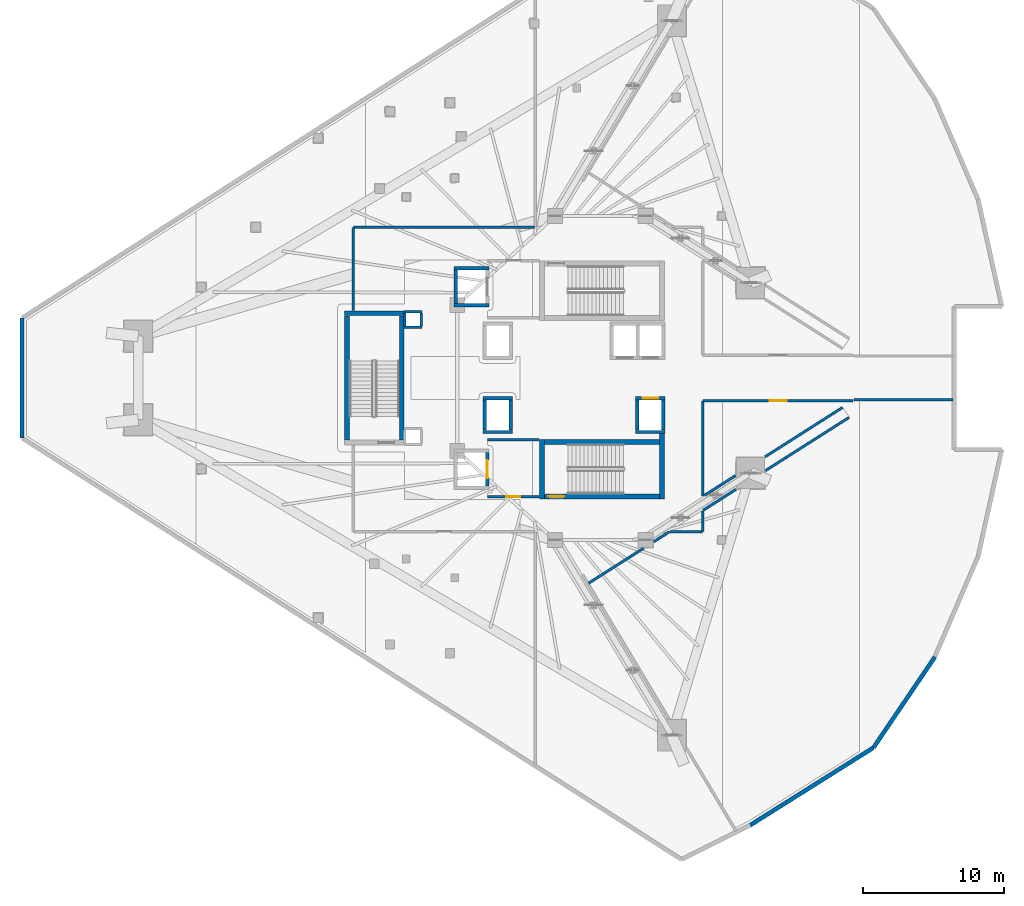
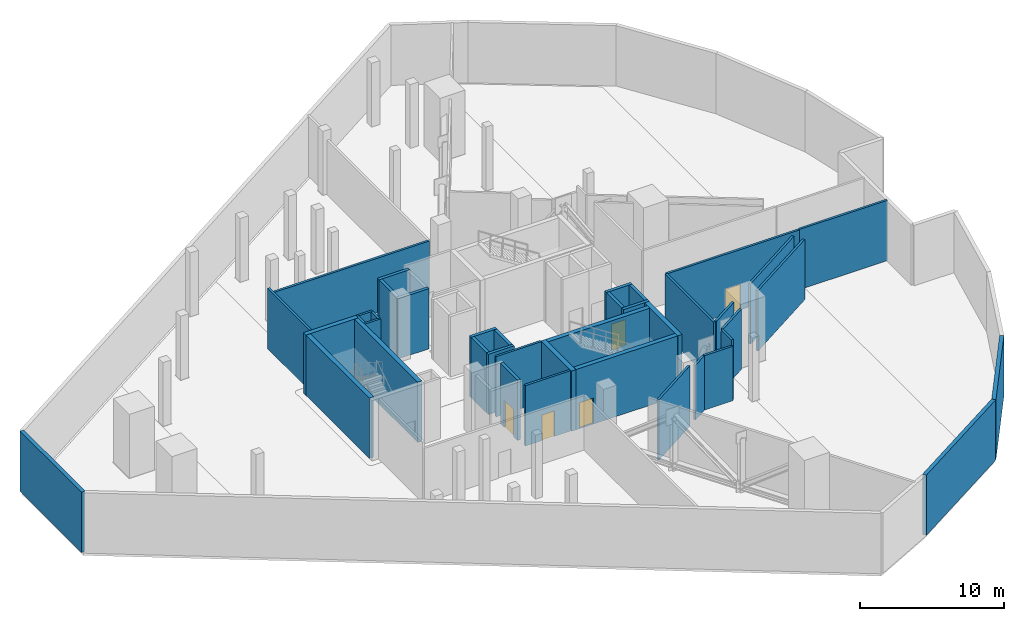
# One storey, part 5 of 12: 41 walls, 5 doors, 5 openings.
"""IFC4 building model written with IfcOpenShell, lengths in metres."""

from ifc_helpers import new_model, si_unit, direction, frame, frame_2d, origin, place, context, subcontext, project, spatial, rectangle, extrude, material, layer, layer_set, type_object, element, fill, save


model = new_model("IFC4")

# Units and contexts
model_context = context("Model", 3, precision=1e-05, world=origin(), true_north=direction((0.0, 1.0)))
body_context = subcontext(model_context, "Body", "Model", "MODEL_VIEW")
ifc_project = project(units=[si_unit("LENGTHUNIT", "METRE"), si_unit("AREAUNIT", "SQUARE_METRE"), si_unit("VOLUMEUNIT", "CUBIC_METRE"), si_unit("PLANEANGLEUNIT", "RADIAN"), si_unit("MASSUNIT", "GRAM", prefix="KILO")], contexts=[model_context])

# Site, building, storey
site_placement = place(None, origin())
site = spatial("IfcSite", under=ifc_project, at=site_placement, CompositionType="ELEMENT")
building_placement = place(site_placement, origin())
building = spatial("IfcBuilding", under=site, at=building_placement, Name="Qorvath Tower", CompositionType="ELEMENT")
storey_placement = place(building_placement, frame((0.0, 0.0, 99.60009765625)))
storey = spatial("IfcBuildingStorey", under=building, at=storey_placement, Name="L22", CompositionType="ELEMENT", Elevation=99.60009765625)

# Walls
ifc_material_1 = material(Name="Gypsum shaftliner on steel studs", Category="steel")
ifc_layer_1 = layer(ifc_material_1, 0.179931640625)
ifc_layer_set_1 = layer_set([ifc_layer_1], Name="FW-LOBBY")
wall_type_1 = type_object("IfcWallType", Name="FW-LOBBY", PredefinedType="PARTITIONING", material=ifc_layer_set_1)
for number, where, z_axis, x_axis, name in (
    (1, (-32.989990234375, 3.594970703125, 0.0), (0.0, 0.0, 1.0), (-1.0, 0.0, 0.0), "MEP Riser Shaft Enclosure Wall N-L22-S"),
    (2, (-34.260009765625, 4.675048828125, 0.0), (0.0, 0.0, 1.0), (1.0, 0.0, 0.0), "MEP Riser Shaft Enclosure Wall N-L22-N"),
):
    element("IfcWall", number, at=place(storey_placement, frame(where, z_axis=z_axis, x_axis=x_axis)), inside=storey, type_object=wall_type_1, Name=name, PredefinedType="PARTITIONING", context=body_context, shape_type="SweptSolid", body=[
        extrude(rectangle(XDim=1.27001953125, YDim=0.179931640625, at=frame_2d((0.635009765625, 0.0))), origin(), (0.0, 0.0, 1.0), 5.099853515625),
    ])
for number, where, z_axis, x_axis, name in (
    (3, (-34.205078125, 3.659912109375, 0.0), (0.0, 0.0, 1.0), (0.0, 1.0, 0.0), "MEP Riser Shaft Enclosure Wall N-L22-W"),
    (4, (-33.044921875, 4.610107421875, 0.0), (0.0, 0.0, 1.0), (0.0, -1.0, 0.0), "MEP Riser Shaft Enclosure Wall N-L22-E"),
):
    element("IfcWall", number, at=place(storey_placement, frame(where, z_axis=z_axis, x_axis=x_axis)), inside=storey, type_object=wall_type_1, Name=name, PredefinedType="PARTITIONING", context=body_context, shape_type="SweptSolid", body=[
        extrude(rectangle(XDim=0.9501953125, YDim=0.179931640625, at=frame_2d((0.47509765625, 0.0))), origin(), (0.0, 0.0, 1.0), 5.099853515625),
    ])

# Wall, opening, door
wall_1_placement = place(storey_placement, frame((-28.35498046875, -8.39990234375, 0.0), z_axis=(0.0, 0.0, 1.0), x_axis=(1.0, 0.0, 0.0)))
wall_1 = element("IfcWall", 5, at=wall_1_placement, inside=storey, type_object=wall_type_1, Name="Interior Partition IW-T1-L22-003", PredefinedType="PARTITIONING", context=body_context, shape_type="SweptSolid", body=[
    extrude(rectangle(XDim=3.6220703125, YDim=0.179931640625, at=frame_2d((1.81103515625, 0.0))), origin(), (0.0, 0.0, 1.0), 5.099853515625),
])
opening_1_placement = place(wall_1_placement, frame((1.31103515625, 0.0, 0.0)))
opening_1 = element("IfcOpeningElement", 6, at=opening_1_placement, cuts=wall_1, Name="Opening D-T1-L22-05", PredefinedType="OPENING", context=body_context, shape_type="SweptSolid", body=[
    extrude(rectangle(XDim=1.0, YDim=2.14990234375, at=frame_2d((0.5, 1.074951171875))), frame((0.0, 0.10009765625, 0.0), z_axis=(0.0, -1.0, 0.0), x_axis=(1.0, 0.0, 0.0)), (0.0, 0.0, 1.0), 0.199951171875),
])
ifc_material_2 = material(Name="Painted galvanised hollow metal", Category="steel")
door_type_1 = type_object("IfcDoorType", Name="FD-60", OperationType="NOTDEFINED", PredefinedType="DOOR", material=ifc_material_2)
door_1_placement = place(opening_1_placement, origin())
door_1 = element("IfcDoor", 7, at=door_1_placement, inside=storey, type_object=door_type_1, Name="Lobby Fire Service Elevator South Door D-T1-L22-05", OperationType="SINGLE_SWING_LEFT", OverallHeight=2.14990234375, OverallWidth=1.0, PredefinedType="DOOR", context=body_context, shape_type="SweptSolid", body=[
    extrude(rectangle(XDim=1.0, YDim=2.14990234375, at=frame_2d((0.5, 1.074951171875))), frame((0.0, 0.02490234375, 0.0), z_axis=(0.0, -1.0, 0.0), x_axis=(1.0, 0.0, 0.0)), (0.0, 0.0, 1.0), 0.050048828125),
])
fill(opening_1, door_1)

# Walls
wall_2_placement = place(storey_placement, frame((-24.73291015625, -4.35009765625, 0.0), z_axis=(0.0, 0.0, 1.0), x_axis=(-1.0, 0.0, 0.0)))
element("IfcWall", 8, at=wall_2_placement, inside=storey, type_object=wall_type_1, Name="Interior Partition IW-T1-L22-004", PredefinedType="PARTITIONING", context=body_context, shape_type="SweptSolid", body=[
    extrude(rectangle(XDim=3.6220703125, YDim=0.179931640625, at=frame_2d((1.81103515625, 0.0))), origin(), (0.0, 0.0, 1.0), 5.099853515625),
])
wall_3_placement = place(storey_placement, frame((-37.85791015625, 4.783203125, 0.0), z_axis=(0.0, 0.0, 1.0), x_axis=(0.0, 1.0, 0.0)))
element("IfcWall", 9, at=wall_3_placement, inside=storey, type_object=wall_type_1, Name="Interior Partition IW-T1-L22-008", PredefinedType="PARTITIONING", context=body_context, shape_type="SweptSolid", body=[
    extrude(rectangle(XDim=5.849853515625, YDim=0.179931640625, at=frame_2d((2.9248046875, 0.0))), origin(), (0.0, 0.0, 1.0), 5.099853515625),
])
wall_4_placement = place(storey_placement, frame((-25.02490234375, 10.657958984375, 0.0), z_axis=(0.0, 0.0, 1.0), x_axis=(-1.0, 0.0, 0.0)))
element("IfcWall", 10, at=wall_4_placement, inside=storey, type_object=wall_type_1, Name="Interior Partition IW-T1-L22-009", PredefinedType="PARTITIONING", context=body_context, shape_type="SweptSolid", body=[
    extrude(rectangle(XDim=12.80810546875, YDim=0.179931640625, at=frame_2d((6.404052734375, 0.0))), origin(), (0.0, 0.0, 1.0), 4.61279296875),
])
wall_5_placement = place(storey_placement, frame((4.546630859375, -1.550048828125, 0.0), z_axis=(0.0, 0.0, 1.0), x_axis=(-1.0, 0.0, 0.0)))
element("IfcWall", 11, at=wall_5_placement, inside=storey, type_object=wall_type_1, Name="Interior Partition IW-T1-L22-025", PredefinedType="PARTITIONING", context=body_context, shape_type="SweptSolid", body=[
    extrude(rectangle(XDim=7.013427734375, YDim=0.179931640625, at=frame_2d((3.5068359375, 0.0))), origin(), (0.0, 0.0, 1.0), 5.099853515625),
])

# Wall, opening, door
wall_6_placement = place(storey_placement, frame((-2.516845703125, -1.60791015625, 0.0), z_axis=(0.0, 0.0, 1.0), x_axis=(-1.0, 0.0, 0.0)))
wall_6 = element("IfcWall", 12, at=wall_6_placement, inside=storey, type_object=wall_type_1, Name="Interior Partition IW-T1-L22-026", PredefinedType="PARTITIONING", context=body_context, shape_type="SweptSolid", body=[
    extrude(rectangle(XDim=10.600341796875, YDim=0.179931640625, at=frame_2d((5.30029296875, 0.0))), origin(), (0.0, 0.0, 1.0), 5.099853515625),
])
opening_2_placement = place(wall_6_placement, frame((4.7001953125, 0.0, 0.0)))
opening_2 = element("IfcOpeningElement", 13, at=opening_2_placement, cuts=wall_6, Name="Opening D-T1-L22-03", PredefinedType="OPENING", context=body_context, shape_type="SweptSolid", body=[
    extrude(rectangle(XDim=1.199951171875, YDim=2.14990234375, at=frame_2d((0.60009765625, 1.074951171875))), frame((0.0, 0.10009765625, 0.0), z_axis=(0.0, -1.0, 0.0), x_axis=(1.0, 0.0, 0.0)), (0.0, 0.0, 1.0), 0.199951171875),
])
ifc_material_3 = material(Name="Painted galvanised hollow metal", Category="steel")
door_type_2 = type_object("IfcDoorType", Name="FD-60W", OperationType="NOTDEFINED", PredefinedType="DOOR", material=ifc_material_3)
door_2_placement = place(opening_2_placement, origin())
door_2 = element("IfcDoor", 14, at=door_2_placement, inside=storey, type_object=door_type_2, Name="Plant Electrical Switchgear Room L22 Door D-T1-L22-03", OperationType="SINGLE_SWING_LEFT", OverallHeight=2.14990234375, OverallWidth=1.199951171875, PredefinedType="DOOR", context=body_context, shape_type="SweptSolid", body=[
    extrude(rectangle(XDim=1.199951171875, YDim=2.14990234375, at=frame_2d((0.60009765625, 1.074951171875))), frame((0.0, 0.02490234375, 0.0), z_axis=(0.0, -1.0, 0.0), x_axis=(1.0, 0.0, 0.0)), (0.0, 0.0, 1.0), 0.050048828125),
])
fill(opening_2, door_2)

# Walls
wall_7_placement = place(storey_placement, frame((-13.14208984375, -1.6328125, 0.0), z_axis=(0.0, 0.0, 1.0), x_axis=(0.0, -1.0, 0.0)))
element("IfcWall", 15, at=wall_7_placement, inside=storey, type_object=wall_type_1, Name="Interior Partition IW-T1-L22-027", PredefinedType="PARTITIONING", context=body_context, shape_type="SweptSolid", body=[
    extrude(rectangle(XDim=6.711669921875, YDim=0.179931640625, at=frame_2d((3.35595703125, 0.0))), origin(), (0.0, 0.0, 1.0), 5.099853515625),
])
wall_8_placement = place(storey_placement, frame((-10.831298828125, -6.89892578125, 0.0), z_axis=(0.0, 0.0, 1.0), x_axis=(-0.843634558071, -0.536917807889, 0.0)))
element("IfcWall", 16, at=wall_8_placement, inside=storey, type_object=wall_type_1, Name="Interior Partition IW-T1-L22-028", PredefinedType="PARTITIONING", context=body_context, shape_type="SweptSolid", body=[
    extrude(rectangle(XDim=2.61328125, YDim=0.179931640625, at=frame_2d((1.306640625, 0.0))), origin(), (0.0, 0.0, 1.0), 5.099853515625),
])
wall_9_placement = place(storey_placement, frame((-3.267822265625, -2.0849609375, 0.0), z_axis=(0.0, 0.0, 1.0), x_axis=(-0.843639791222, -0.536909585188, 0.0)))
element("IfcWall", 17, at=wall_9_placement, inside=storey, type_object=wall_type_1, Name="Interior Partition IW-T1-L22-029", PredefinedType="PARTITIONING", context=body_context, shape_type="SweptSolid", body=[
    extrude(rectangle(XDim=6.487060546875, YDim=0.179931640625, at=frame_2d((3.24365234375, 0.0))), origin(), (0.0, 0.0, 1.0), 5.099853515625),
])
wall_10_placement = place(storey_placement, frame((-2.81689453125, -2.793701171875, 0.0), z_axis=(0.0, 0.0, 1.0), x_axis=(-0.84362406393, -0.5369342965, 0.0)))
element("IfcWall", 18, at=wall_10_placement, inside=storey, type_object=wall_type_1, Name="Interior Partition IW-T1-L22-030", PredefinedType="PARTITIONING", context=body_context, shape_type="SweptSolid", body=[
    extrude(rectangle(XDim=6.984619140625, YDim=0.179931640625, at=frame_2d((3.4921875, 0.0))), origin(), (0.0, 0.0, 1.0), 5.099853515625),
])
wall_11_placement = place(storey_placement, frame((-10.80029296875, -7.874755859375, 0.0), z_axis=(0.0, 0.0, 1.0), x_axis=(-0.843632252062, -0.536921431199, 0.0)))
element("IfcWall", 19, at=wall_11_placement, inside=storey, type_object=wall_type_1, Name="Interior Partition IW-T1-L22-031", PredefinedType="PARTITIONING", context=body_context, shape_type="SweptSolid", body=[
    extrude(rectangle(XDim=2.7509765625, YDim=0.179931640625, at=frame_2d((1.37548828125, 0.0))), origin(), (0.0, 0.0, 1.0), 5.099853515625),
])
wall_12_placement = place(storey_placement, frame((-13.14208984375, -9.39013671875, 0.0), z_axis=(0.0, 0.0, 1.0), x_axis=(0.0, -1.0, 0.0)))
element("IfcWall", 20, at=wall_12_placement, inside=storey, type_object=wall_type_1, Name="Interior Partition IW-T1-L22-032", PredefinedType="PARTITIONING", context=body_context, shape_type="SweptSolid", body=[
    extrude(rectangle(XDim=1.44287109375, YDim=0.179931640625, at=frame_2d((0.721435546875, 0.0))), origin(), (0.0, 0.0, 1.0), 5.099853515625),
])
wall_13_placement = place(storey_placement, frame((-13.1669921875, -10.85791015625, 0.0), z_axis=(0.0, 0.0, 1.0), x_axis=(-1.0, 0.0, 0.0)))
element("IfcWall", 21, at=wall_13_placement, inside=storey, type_object=wall_type_1, Name="Interior Partition IW-T1-L22-033", PredefinedType="PARTITIONING", context=body_context, shape_type="SweptSolid", body=[
    extrude(rectangle(XDim=2.29541015625, YDim=0.179931640625, at=frame_2d((1.147705078125, 0.0))), origin(), (0.0, 0.0, 1.0), 4.61279296875),
])
wall_14_placement = place(storey_placement, frame((-15.508544921875, -10.871337890625, 0.0), z_axis=(0.0, 0.0, 1.0), x_axis=(-0.843615454896, -0.536947822661, 0.0)))
element("IfcWall", 22, at=wall_14_placement, inside=storey, type_object=wall_type_1, Name="Interior Partition IW-T1-L22-034", PredefinedType="PARTITIONING", context=body_context, shape_type="SweptSolid", body=[
    extrude(rectangle(XDim=1.310302734375, YDim=0.179931640625, at=frame_2d((0.6552734375, 0.0))), origin(), (0.0, 0.0, 1.0), 4.61279296875),
])
wall_15_placement = place(storey_placement, frame((-17.32666015625, -12.0283203125, 0.0), z_axis=(0.0, 0.0, 1.0), x_axis=(-0.84363756264, -0.536913086917, 0.0)))
element("IfcWall", 23, at=wall_15_placement, inside=storey, type_object=wall_type_1, Name="Interior Partition IW-T1-L22-035", PredefinedType="PARTITIONING", context=body_context, shape_type="SweptSolid", body=[
    extrude(rectangle(XDim=4.6220703125, YDim=0.179931640625, at=frame_2d((2.31103515625, 0.0))), origin(), (0.0, 0.0, 1.0), 5.099853515625),
])
ifc_material_4 = material(Name="Concrete C60/75", Category="concrete")
ifc_layer_2 = layer(ifc_material_4, 0.260009765625)
ifc_layer_set_2 = layer_set([ifc_layer_2], Name="SW-SHAFT")
wall_type_2 = type_object("IfcWallType", Name="SW-SHAFT", PredefinedType="SHEAR", material=ifc_layer_set_2)
for number, where, z_axis, x_axis, name in (
    (24, (-28.260009765625, 5.1298828125, 0.0), (0.0, 0.0, 1.0), (-1.0, 0.0, 0.0), "Hoistway Wall FSAE-1 L22 S"),
    (25, (-30.739990234375, 7.77001953125, 0.0), (0.0, 0.0, 1.0), (1.0, 0.0, 0.0), "Hoistway Wall FSAE-1 L22 N"),
):
    element("IfcWall", number, at=place(storey_placement, frame(where, z_axis=z_axis, x_axis=x_axis)), inside=storey, type_object=wall_type_2, Name=name, PredefinedType="SHEAR", context=body_context, shape_type="SweptSolid", body=[
        extrude(rectangle(XDim=2.47998046875, YDim=0.239990234375, at=frame_2d((1.239990234375, 0.0))), origin(), (0.0, 0.0, 1.0), 5.099853515625),
    ])
wall_16_placement = place(storey_placement, frame((-30.6201171875, 5.261962890625, 0.0), z_axis=(0.0, 0.0, 1.0), x_axis=(0.0, 1.0, 0.0)))
element("IfcWall", 26, at=wall_16_placement, inside=storey, type_object=wall_type_2, Name="Hoistway Wall FSAE-1 L22 W", PredefinedType="SHEAR", context=body_context, shape_type="SweptSolid", body=[
    extrude(rectangle(XDim=2.3759765625, YDim=0.239990234375, at=frame_2d((1.18798828125, 0.0))), origin(), (0.0, 0.0, 1.0), 5.099853515625),
])

# Wall, opening, door
wall_17_placement = place(storey_placement, frame((-28.3798828125, -5.261962890625, 0.0), z_axis=(0.0, 0.0, 1.0), x_axis=(0.0, -1.0, 0.0)))
wall_17 = element("IfcWall", 27, at=wall_17_placement, inside=storey, type_object=wall_type_2, Name="Hoistway Wall FSAE-2 L22 E", PredefinedType="SHEAR", context=body_context, shape_type="SweptSolid", body=[
    extrude(rectangle(XDim=2.3759765625, YDim=0.239990234375, at=frame_2d((1.18798828125, 0.0))), origin(), (0.0, 0.0, 1.0), 5.099853515625),
])
opening_3_placement = place(wall_17_placement, frame((0.5380859375, 0.0, 0.0)))
opening_3 = element("IfcOpeningElement", 28, at=opening_3_placement, cuts=wall_17, Name="Opening LD-FSAE-2-L22", PredefinedType="OPENING", context=body_context, shape_type="SweptSolid", body=[
    extrude(rectangle(XDim=1.300048828125, YDim=2.300048828125, at=frame_2d((0.64990234375, 1.14990234375))), frame((0.0, 0.1298828125, 0.0), z_axis=(0.0, -1.0, 0.0), x_axis=(1.0, 0.0, 0.0)), (0.0, 0.0, 1.0), 0.260009765625),
])
ifc_material_5 = material(Name="Brushed stainless steel AISI 316", Category="steel")
door_type_3 = type_object("IfcDoorType", Name="LD-02", OperationType="NOTDEFINED", PredefinedType="DOOR", material=ifc_material_5)
door_3_placement = place(opening_3_placement, origin())
door_3 = element("IfcDoor", 29, at=door_3_placement, inside=storey, type_object=door_type_3, Name="Elevator Landing Sliding Door LD-FSAE-2-L22", OperationType="DOUBLE_DOOR_SLIDING", OverallHeight=2.300048828125, OverallWidth=1.300048828125, PredefinedType="DOOR", context=body_context, shape_type="SweptSolid", body=[
    extrude(rectangle(XDim=1.300048828125, YDim=2.300048828125, at=frame_2d((0.64990234375, 1.14990234375))), frame((0.0, 0.02490234375, 0.0), z_axis=(0.0, -1.0, 0.0), x_axis=(1.0, 0.0, 0.0)), (0.0, 0.0, 1.0), 0.050048828125),
])
fill(opening_3, door_3)

# Walls
for number, where, z_axis, x_axis, name in (
    (30, (-26.610107421875, -3.820068359375, 0.0), (0.0, 0.0, 1.0), (-1.0, 0.0, 0.0), "Hoistway Wall PS-2 L22 S"),
    (31, (-28.68994140625, -1.429931640625, 0.0), (0.0, 0.0, 1.0), (1.0, 0.0, 0.0), "Hoistway Wall PS-2 L22 N"),
):
    element("IfcWall", number, at=place(storey_placement, frame(where, z_axis=z_axis, x_axis=x_axis)), inside=storey, type_object=wall_type_2, Name=name, PredefinedType="SHEAR", context=body_context, shape_type="SweptSolid", body=[
        extrude(rectangle(XDim=2.079833984375, YDim=0.239990234375, at=frame_2d((1.0400390625, 0.0))), origin(), (0.0, 0.0, 1.0), 5.099853515625),
    ])
for number, where, z_axis, x_axis, name in (
    (32, (-28.570068359375, -3.68798828125, 0.0), (0.0, 0.0, 1.0), (0.0, 1.0, 0.0), "Hoistway Wall PS-2 L22 W"),
    (33, (-26.72998046875, -1.56201171875, 0.0), (0.0, 0.0, 1.0), (0.0, -1.0, 0.0), "Hoistway Wall PS-2 L22 E"),
):
    element("IfcWall", number, at=place(storey_placement, frame(where, z_axis=z_axis, x_axis=x_axis)), inside=storey, type_object=wall_type_2, Name=name, PredefinedType="SHEAR", context=body_context, shape_type="SweptSolid", body=[
        extrude(rectangle(XDim=2.1259765625, YDim=0.239990234375, at=frame_2d((1.06298828125, 0.0))), origin(), (0.0, 0.0, 1.0), 5.099853515625),
    ])
wall_18_placement = place(storey_placement, frame((-15.81005859375, -3.820068359375, 0.0), z_axis=(0.0, 0.0, 1.0), x_axis=(-1.0, 0.0, 0.0)))
element("IfcWall", 34, at=wall_18_placement, inside=storey, type_object=wall_type_2, Name="Hoistway Wall PL-2 L22 S", PredefinedType="SHEAR", context=body_context, shape_type="SweptSolid", body=[
    extrude(rectangle(XDim=2.079833984375, YDim=0.239990234375, at=frame_2d((1.0400390625, 0.0))), origin(), (0.0, 0.0, 1.0), 5.099853515625),
])

# Wall, opening, door
wall_19_placement = place(storey_placement, frame((-17.889892578125, -1.429931640625, 0.0), z_axis=(0.0, 0.0, 1.0), x_axis=(1.0, 0.0, 0.0)))
wall_19 = element("IfcWall", 35, at=wall_19_placement, inside=storey, type_object=wall_type_2, Name="Hoistway Wall PL-2 L22 N", PredefinedType="SHEAR", context=body_context, shape_type="SweptSolid", body=[
    extrude(rectangle(XDim=2.079833984375, YDim=0.239990234375, at=frame_2d((1.0400390625, 0.0))), origin(), (0.0, 0.0, 1.0), 5.099853515625),
])
opening_4_placement = place(wall_19_placement, frame((0.48974609375, 0.0, 0.0)))
opening_4 = element("IfcOpeningElement", 36, at=opening_4_placement, cuts=wall_19, Name="Opening LD-PL-2-L22", PredefinedType="OPENING", context=body_context, shape_type="SweptSolid", body=[
    extrude(rectangle(XDim=1.10009765625, YDim=2.199951171875, at=frame_2d((0.550048828125, 1.10009765625))), frame((0.0, 0.1298828125, 0.0), z_axis=(0.0, -1.0, 0.0), x_axis=(1.0, 0.0, 0.0)), (0.0, 0.0, 1.0), 0.260009765625),
])
ifc_material_6 = material(Name="Brushed stainless steel AISI 316", Category="steel")
door_type_4 = type_object("IfcDoorType", Name="LD-01", OperationType="NOTDEFINED", PredefinedType="DOOR", material=ifc_material_6)
door_4_placement = place(opening_4_placement, origin())
door_4 = element("IfcDoor", 37, at=door_4_placement, inside=storey, type_object=door_type_4, Name="Elevator Landing Sliding Door LD-PL-2-L22", OperationType="DOUBLE_DOOR_SLIDING", OverallHeight=2.199951171875, OverallWidth=1.10009765625, PredefinedType="DOOR", context=body_context, shape_type="SweptSolid", body=[
    extrude(rectangle(XDim=1.10009765625, YDim=2.199951171875, at=frame_2d((0.550048828125, 1.10009765625))), frame((0.0, 0.02490234375, 0.0), z_axis=(0.0, -1.0, 0.0), x_axis=(1.0, 0.0, 0.0)), (0.0, 0.0, 1.0), 0.050048828125),
])
fill(opening_4, door_4)

# Walls
for number, where, z_axis, x_axis, name in (
    (38, (-17.77001953125, -3.68798828125, 0.0), (0.0, 0.0, 1.0), (0.0, 1.0, 0.0), "Hoistway Wall PL-2 L22 W"),
    (39, (-15.929931640625, -1.56201171875, 0.0), (0.0, 0.0, 1.0), (0.0, -1.0, 0.0), "Hoistway Wall PL-2 L22 E"),
):
    element("IfcWall", number, at=place(storey_placement, frame(where, z_axis=z_axis, x_axis=x_axis)), inside=storey, type_object=wall_type_2, Name=name, PredefinedType="SHEAR", context=body_context, shape_type="SweptSolid", body=[
        extrude(rectangle(XDim=2.1259765625, YDim=0.239990234375, at=frame_2d((1.06298828125, 0.0))), origin(), (0.0, 0.0, 1.0), 5.099853515625),
    ])
ifc_material_7 = material(Name="Concrete C60/75", Category="concrete")
ifc_layer_3 = layer(ifc_material_7, 0.35009765625)
ifc_layer_set_3 = layer_set([ifc_layer_3], Name="SW-STAIR")
wall_type_3 = type_object("IfcWallType", Name="SW-STAIR", PredefinedType="SHEAR", material=ifc_layer_set_3)
wall_20_placement = place(storey_placement, frame((-24.52490234375, -4.340087890625, 0.0), z_axis=(0.0, 0.0, 1.0), x_axis=(0.0, -1.0, 0.0)))
element("IfcWall", 40, at=wall_20_placement, inside=storey, type_object=wall_type_3, Name="Stair TS2 Shear Wall L22 NEAR", PredefinedType="SHEAR", context=body_context, shape_type="SweptSolid", body=[
    extrude(rectangle(XDim=4.2099609375, YDim=0.35009765625, at=frame_2d((2.10498046875, 0.0))), origin(), (0.0, 0.0, 1.0), 5.099853515625),
])
wall_21_placement = place(storey_placement, frame((-16.02490234375, -8.550048828125, 0.0), z_axis=(0.0, 0.0, 1.0), x_axis=(0.0, 1.0, 0.0)))
element("IfcWall", 41, at=wall_21_placement, inside=storey, type_object=wall_type_3, Name="Stair TS2 Shear Wall L22 FAR", PredefinedType="SHEAR", context=body_context, shape_type="SweptSolid", body=[
    extrude(rectangle(XDim=4.610107421875, YDim=0.35009765625, at=frame_2d((2.30517578125, 0.0))), origin(), (0.0, 0.0, 1.0), 5.099853515625),
])

# Wall, opening, door
wall_22_placement = place(storey_placement, frame((-24.3349609375, -8.375, 0.0), z_axis=(0.0, 0.0, 1.0), x_axis=(1.0, 0.0, 0.0)))
wall_22 = element("IfcWall", 42, at=wall_22_placement, inside=storey, type_object=wall_type_3, Name="Stair TS2 Shear Wall L22 LEFT", PredefinedType="SHEAR", context=body_context, shape_type="SweptSolid", body=[
    extrude(rectangle(XDim=8.119873046875, YDim=0.35009765625, at=frame_2d((4.06005859375, 0.0))), origin(), (0.0, 0.0, 1.0), 5.099853515625),
])
opening_5_placement = place(wall_22_placement, frame((0.280029296875, 0.0, 0.0)))
opening_5 = element("IfcOpeningElement", 43, at=opening_5_placement, cuts=wall_22, Name="Opening D-TS2-L22", PredefinedType="OPENING", context=body_context, shape_type="SweptSolid", body=[
    extrude(rectangle(XDim=1.10009765625, YDim=2.199951171875, at=frame_2d((0.550048828125, 1.10009765625))), frame((0.0, 0.18505859375, 0.0), z_axis=(0.0, -1.0, 0.0), x_axis=(1.0, 0.0, 0.0)), (0.0, 0.0, 1.0), 0.3701171875),
])
ifc_material_8 = material(Name="Painted galvanised hollow metal", Category="steel")
door_type_5 = type_object("IfcDoorType", Name="FD-90", OperationType="NOTDEFINED", PredefinedType="DOOR", material=ifc_material_8)
door_5_placement = place(opening_5_placement, origin())
door_5 = element("IfcDoor", 44, at=door_5_placement, inside=storey, type_object=door_type_5, Name="Stair TS2 Fire Door L22", OperationType="SINGLE_SWING_LEFT", OverallHeight=2.199951171875, OverallWidth=1.10009765625, PredefinedType="DOOR", context=body_context, shape_type="SweptSolid", body=[
    extrude(rectangle(XDim=1.10009765625, YDim=2.199951171875, at=frame_2d((0.550048828125, 1.10009765625))), frame((0.0, 0.02490234375, 0.0), z_axis=(0.0, -1.0, 0.0), x_axis=(1.0, 0.0, 0.0)), (0.0, 0.0, 1.0), 0.050048828125),
])
fill(opening_5, door_5)

# Walls
wall_23_placement = place(storey_placement, frame((-16.215087890625, -4.514892578125, 0.0), z_axis=(0.0, 0.0, 1.0), x_axis=(-1.0, 0.0, 0.0)))
element("IfcWall", 45, at=wall_23_placement, inside=storey, type_object=wall_type_3, Name="Stair TS2 Shear Wall L22 RIGHT", PredefinedType="SHEAR", context=body_context, shape_type="SweptSolid", body=[
    extrude(rectangle(XDim=8.119873046875, YDim=0.35009765625, at=frame_2d((4.06005859375, 0.0))), origin(), (0.0, 0.0, 1.0), 5.099853515625),
])
wall_24_placement = place(storey_placement, frame((-34.25, 4.574951171875, 0.0), z_axis=(0.0, 0.0, 1.0), x_axis=(-1.0, 0.0, 0.0)))
element("IfcWall", 46, at=wall_24_placement, inside=storey, type_object=wall_type_3, Name="Stair TS3 Shear Wall L22 FAR", PredefinedType="SHEAR", context=body_context, shape_type="SweptSolid", body=[
    extrude(rectangle(XDim=4.2099609375, YDim=0.35009765625, at=frame_2d((2.10498046875, 0.0))), origin(), (0.0, 0.0, 1.0), 5.099853515625),
])
for number, where, z_axis, x_axis, name in (
    (47, (-34.425048828125, -4.385009765625, 0.0), (0.0, 0.0, 1.0), (0.0, 1.0, 0.0), "Stair TS3 Shear Wall L22 LEFT"),
    (48, (-38.284912109375, 4.385009765625, 0.0), (0.0, 0.0, 1.0), (0.0, -1.0, 0.0), "Stair TS3 Shear Wall L22 RIGHT"),
):
    element("IfcWall", number, at=place(storey_placement, frame(where, z_axis=z_axis, x_axis=x_axis)), inside=storey, type_object=wall_type_3, Name=name, PredefinedType="SHEAR", context=body_context, shape_type="SweptSolid", body=[
        extrude(rectangle(XDim=8.77001953125, YDim=0.35009765625, at=frame_2d((4.385009765625, 0.0))), origin(), (0.0, 0.0, 1.0), 5.099853515625),
    ])
ifc_material_9 = material(Name="Precast concrete C45/55", Category="concrete")
ifc_layer_4 = layer(ifc_material_9, 0.300048828125)
ifc_layer_set_4 = layer_set([ifc_layer_4], Name="WL-EW-LOG-300")
wall_type_4 = type_object("IfcWallType", Name="WL-EW-LOG-300", PredefinedType="SOLIDWALL", material=ifc_layer_set_4)
wall_25_placement = place(storey_placement, frame((-61.25537109375, -4.2548828125, 0.0), z_axis=(0.0, 0.0, 1.0), x_axis=(0.0, 1.0, 0.0)))
element("IfcWall", 49, at=wall_25_placement, inside=storey, type_object=wall_type_4, Name="Tower Precast Loggia Wall L22-1.1", PredefinedType="SOLIDWALL", context=body_context, shape_type="SweptSolid", body=[
    extrude(rectangle(XDim=8.509765625, YDim=0.300048828125, at=frame_2d((4.2548828125, 0.0))), origin(), (0.0, 0.0, 1.0), 5.099853515625),
])
wall_26_placement = place(storey_placement, frame((-1.077880859375, -26.12841796875, 0.0), z_axis=(0.0, 0.0, 1.0), x_axis=(-0.846502477186, -0.532384782012, 0.0)))
element("IfcWall", 50, at=wall_26_placement, inside=storey, type_object=wall_type_4, Name="Tower Precast Loggia Wall L22-4.1", PredefinedType="SOLIDWALL", context=body_context, shape_type="SweptSolid", body=[
    extrude(rectangle(XDim=10.292724609375, YDim=0.300048828125, at=frame_2d((5.146484375, 0.0))), origin(), (0.0, 0.0, 1.0), 5.099853515625),
])
wall_27_placement = place(storey_placement, frame((3.2626953125, -19.72021484375, 0.0), z_axis=(0.0, 0.0, 1.0), x_axis=(-0.560806994293, -0.827946565397, 0.0)))
element("IfcWall", 51, at=wall_27_placement, inside=storey, type_object=wall_type_4, Name="Tower Precast Loggia Wall L22-5.1", PredefinedType="SOLIDWALL", context=body_context, shape_type="SweptSolid", body=[
    extrude(rectangle(XDim=7.739990234375, YDim=0.300048828125, at=frame_2d((3.8701171875, 0.0))), origin(), (0.0, 0.0, 1.0), 5.099853515625),
])

save(model, "model.ifc")
